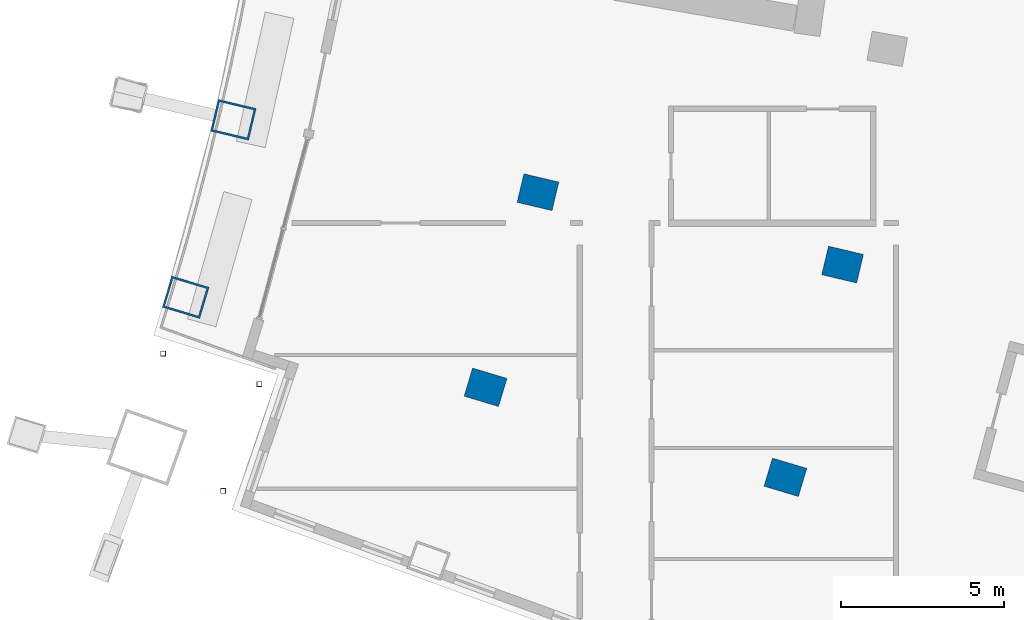
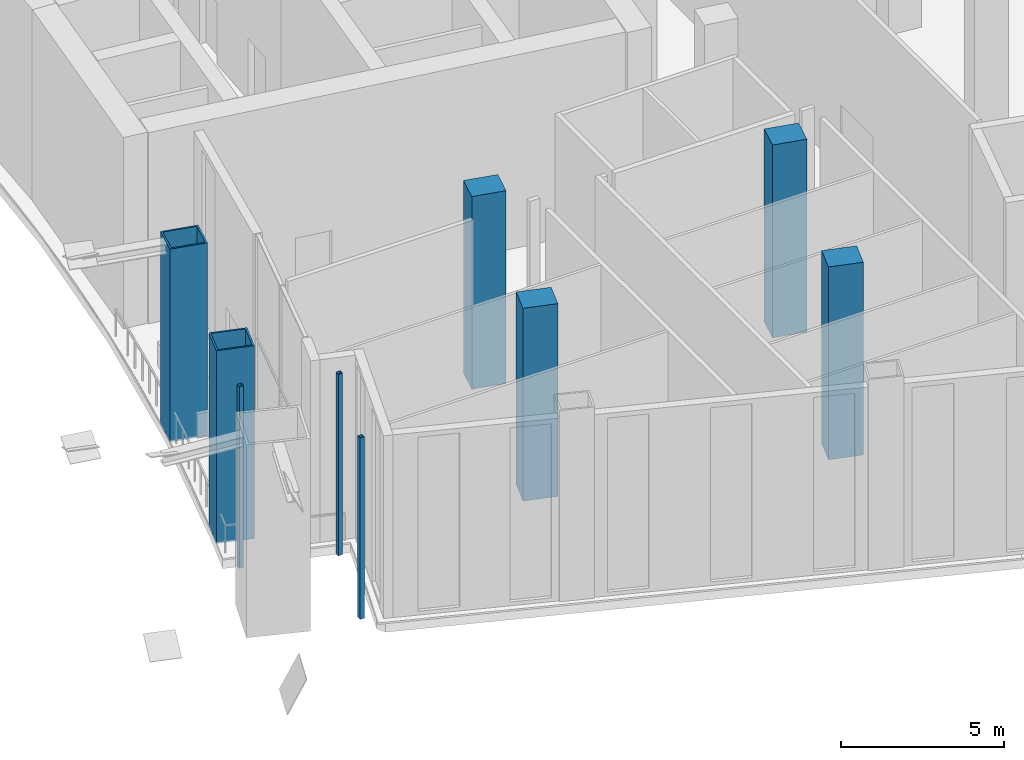
# One storey, part 2 of 27: 9 columns.
"""IFC4 building model written with IfcOpenShell, lengths in metres."""

from ifc_helpers import new_model, si_unit, direction, frame, origin, origin_2d, place, context, subcontext, project, spatial, rectangle, hollow_rectangle, extrude, material, material_profile, profile_set, type_object, element, save


model = new_model("IFC4")

# Units and contexts
model_context = context("Model", 3, precision=1e-05, world=origin(), true_north=direction((0.0, 1.0)))
body_context = subcontext(model_context, "Body", "Model", "MODEL_VIEW")
ifc_project = project(units=[si_unit("LENGTHUNIT", "METRE"), si_unit("AREAUNIT", "SQUARE_METRE"), si_unit("VOLUMEUNIT", "CUBIC_METRE"), si_unit("PLANEANGLEUNIT", "RADIAN"), si_unit("MASSUNIT", "GRAM", prefix="KILO")], contexts=[model_context])

# Site, building, storey
site_placement = place(None, origin())
site = spatial("IfcSite", under=ifc_project, at=site_placement, CompositionType="ELEMENT")
building_placement = place(site_placement, origin())
building = spatial("IfcBuilding", under=site, at=building_placement, Name="Alderwake Tower", CompositionType="ELEMENT")
storey_placement = place(building_placement, frame((0.0, 0.0, 75.199951171875)))
storey = spatial("IfcBuildingStorey", under=building, at=storey_placement, Name="L18", CompositionType="ELEMENT", Elevation=75.199951171875)

# Columns
ifc_material_1 = material(Name="Concrete C70/85", Category="concrete")
ifc_material_profile_1 = material_profile(ifc_material_1, rectangle(XDim=0.89990234375, YDim=1.10009765625, at=origin_2d()), Name="RC 1100X900")
ifc_profile_set_1 = profile_set([ifc_material_profile_1], Name="Concrete C70/85")
column_type_1 = type_object("IfcColumnType", Name="Interior column Z1", PredefinedType="COLUMN", material=ifc_profile_set_1)
for number, where, z_axis, x_axis, name in (
    (1, (21.714599609375, 30.46240234375, 0.0), (0.0, 0.0, 1.0), (0.287549418125, 0.957765802342, 0.0), "Column R02-C1"),
    (2, (30.9091796875, 27.701904296875, 0.0), (0.0, 0.0, 1.0), (0.287549418125, 0.957765802342, 0.0), "Column R02-C2"),
    (3, (23.322021484375, 36.444091796875, 0.0), (0.0, 0.0, 1.0), (0.231221547198, 0.972901123502, 0.0), "Column R03-C1"),
    (4, (32.661865234375, 34.224609375, 0.0), (0.0, 0.0, 1.0), (0.231221547198, 0.972901123502, 0.0), "Column R03-C2"),
):
    element("IfcColumn", number, at=place(storey_placement, frame(where, z_axis=z_axis, x_axis=x_axis)), inside=storey, type_object=column_type_1, Name=name, PredefinedType="COLUMN", context=body_context, shape_type="SweptSolid", body=[
        extrude(rectangle(XDim=0.89990234375, YDim=1.10009765625, at=origin_2d()), origin(), (0.0, 0.0, 1.0), 7.199951171875),
    ])
ifc_material_2 = material(Name="Steel ASTM A500 Grade C", Category="steel")
ifc_material_profile_2 = material_profile(ifc_material_2, hollow_rectangle(XDim=0.15234375, YDim=0.15234375, WallThickness=0.0087890625, at=origin_2d()), Name="HSS6X6X3/8")
ifc_profile_set_2 = profile_set([ifc_material_profile_2], Name="Steel ASTM A500 Grade C")
column_type_2 = type_object("IfcColumnType", Name="Light post HSS6X6X3/8", PredefinedType="COLUMN", material=ifc_profile_set_2)
for number, where, z_axis, x_axis, name in (
    (5, (11.82568359375, 31.492919921875, 0.0), (0.0, 0.0, 1.0), (1.0, 0.0, 0.0), "Terrace post RS1"),
    (6, (13.66796875, 27.28759765625, 0.0), (0.0, 0.0, 1.0), (1.0, 0.0, 0.0), "Terrace post RS2"),
    (7, (14.781494140625, 30.558349609375, 0.0), (0.0, 0.0, 1.0), (1.0, 0.0, 0.0), "Terrace post RS3"),
):
    element("IfcColumn", number, at=place(storey_placement, frame(where, z_axis=z_axis, x_axis=x_axis)), inside=storey, type_object=column_type_2, Name=name, PredefinedType="COLUMN", context=body_context, shape_type="SweptSolid", body=[
        extrude(hollow_rectangle(XDim=0.15234375, YDim=0.15234375, WallThickness=0.0087890625, at=origin_2d()), origin(), (0.0, 0.0, 1.0), 6.780029296875),
    ])
ifc_material_3 = material(Name="Steel ASTM A572 Grade 50 concrete filled C70/85", Category="concrete")
ifc_material_profile_3 = material_profile(ifc_material_3, hollow_rectangle(XDim=1.0, YDim=1.199951171875, WallThickness=0.06005859375, at=origin_2d()), Name="BOX 1200X1000X60")
ifc_profile_set_3 = profile_set([ifc_material_profile_3], Name="Steel ASTM A572 Grade 50 concrete filled C70/85")
column_type_3 = type_object("IfcColumnType", Name="Perimeter column Z1", PredefinedType="COLUMN", material=ifc_profile_set_3)
for number, where, z_axis, x_axis, name in (
    (8, (12.520263671875, 33.222900390625, 0.0), (0.0, 0.0, 1.0), (0.287549418125, 0.957765802342, 0.0), "Column R02-C0"),
    (9, (13.982177734375, 38.6640625, 0.0), (0.0, 0.0, 1.0), (0.231221547198, 0.972901123502, 0.0), "Column R03-C0"),
):
    element("IfcColumn", number, at=place(storey_placement, frame(where, z_axis=z_axis, x_axis=x_axis)), inside=storey, type_object=column_type_3, Name=name, PredefinedType="COLUMN", context=body_context, shape_type="SweptSolid", body=[
        extrude(hollow_rectangle(XDim=1.0, YDim=1.199951171875, WallThickness=0.06005859375, at=origin_2d()), origin(), (0.0, 0.0, 1.0), 7.199951171875),
    ])

save(model, "model.ifc")
